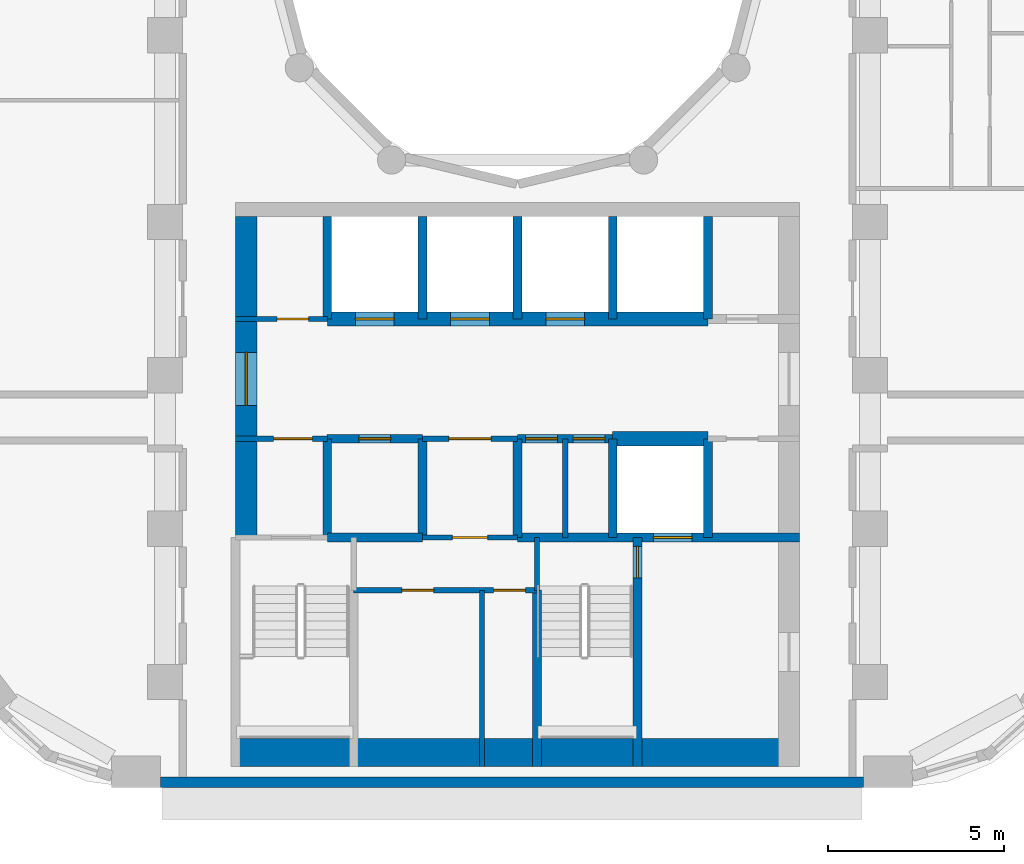
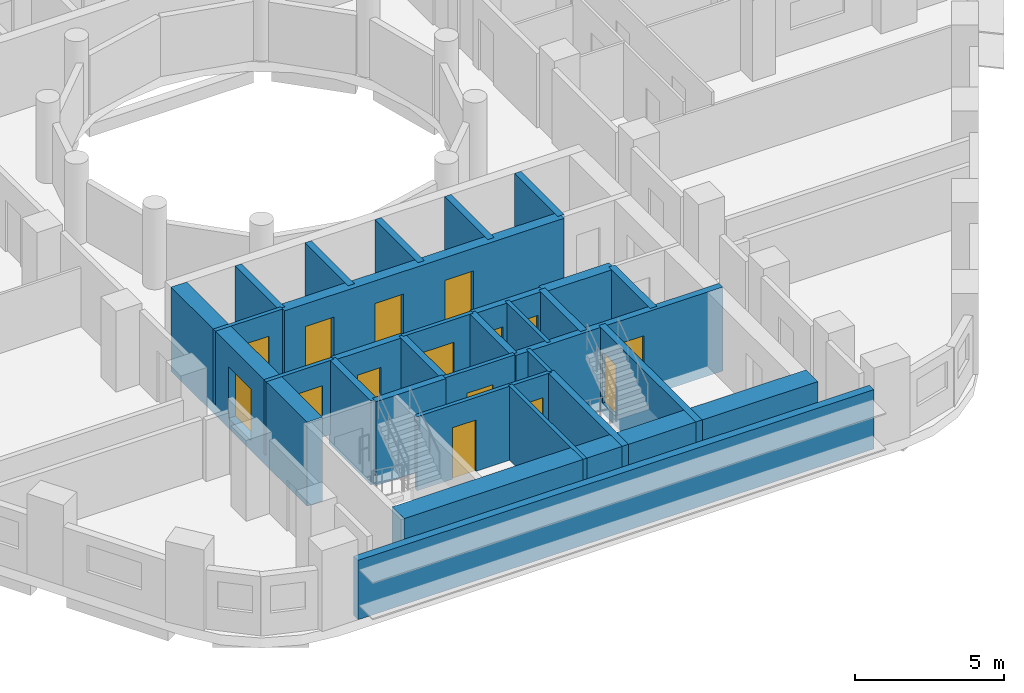
# One storey, part 3 of 13: 29 walls, 15 doors, 15 openings.
"""IFC4 building model written with IfcOpenShell, lengths in metres."""

import ifcopenshell
import ifcopenshell.guid

model = None  # the IFC model being written
_history = None  # IfcOwnerHistory: only IFC2X3 demands one
_inside = {}  # id of a spatial element -> (the spatial element, [elements in it])
_under = {}  # id of a project, library or spatial element -> (it, [spatial elements below it])
_declared = {}  # id of a project -> (the project, [libraries it declares])
_typed = {}  # id of a type object -> (the type object, [elements of that type])
_made_of = {}  # id of a material, layer set ... -> (it, [elements and type objects made of it])


def new_model(schema):
    """Start an empty IFC model of exactly this schema.

    Asked for "IFC4X3", IfcOpenShell would pick the latest addendum, in which some entities
    have other attributes; the version numbers below select the first issue.
    IFC2X3 requires an IfcOwnerHistory on every rooted entity: one is made here for all.
    """
    global model, _history
    if schema == "IFC4X3":
        model = ifcopenshell.file(schema_version=(4, 3, 0, 0))
    else:
        model = ifcopenshell.file(schema=schema)
    _inside.clear()
    _under.clear()
    _declared.clear()
    _typed.clear()
    _made_of.clear()
    _history = None
    if model.schema == "IFC2X3":
        org = make("IfcOrganization", Name="unknown")
        user = make(
            "IfcPersonAndOrganization",
            ThePerson=make("IfcPerson", FamilyName="unknown"),
            TheOrganization=org,
        )
        app = make(
            "IfcApplication",
            ApplicationDeveloper=org,
            Version="unknown",
            ApplicationFullName="unknown",
            ApplicationIdentifier="unknown",
        )
        _history = make(
            "IfcOwnerHistory",
            OwningUser=user,
            OwningApplication=app,
            ChangeAction="ADDED",
            CreationDate=0,
        )
    return model


def make(cls, **values):
    """One entity of the class cls with the attributes given. An attribute that is None is left unset."""
    return model.create_entity(
        cls, **{name: value for name, value in values.items() if value is not None}
    )


def rooted(cls, **values):
    """An entity with a GlobalId (a new one), such as an element, a storey or a relation."""
    return make(cls, GlobalId=ifcopenshell.guid.new(), OwnerHistory=_history, **values)


def si_unit(unit_type, name, prefix=None):
    """IfcSIUnit, for example si_unit("LENGTHUNIT", "METRE", prefix="MILLI")."""
    return make("IfcSIUnit", UnitType=unit_type, Prefix=prefix, Name=name)


def assignment(units):
    """IfcUnitAssignment: the units of a project."""
    return None if units is None else make("IfcUnitAssignment", Units=units)


def point(xyz):
    """IfcCartesianPoint."""
    return None if xyz is None else make("IfcCartesianPoint", Coordinates=xyz)


def direction(xyz):
    """IfcDirection."""
    return None if xyz is None else make("IfcDirection", DirectionRatios=xyz)


def frame(location, z_axis=None, x_axis=None):
    """IfcAxis2Placement3D, a coordinate frame: its origin and axes. An axis left out is left unset."""
    return make(
        "IfcAxis2Placement3D",
        Location=point(location),
        Axis=direction(z_axis),
        RefDirection=direction(x_axis),
    )


def frame_2d(location, x_axis=None):
    """IfcAxis2Placement2D, a coordinate frame in the plane: its origin and x axis."""
    return make(
        "IfcAxis2Placement2D", Location=point(location), RefDirection=direction(x_axis)
    )


def origin():
    """The frame at (0, 0, 0) with its axes left unset."""
    return frame((0.0, 0.0, 0.0))


def place(relative_to, where):
    """IfcLocalPlacement: puts the frame where relative to a parent placement (None: the world)."""
    return make(
        "IfcLocalPlacement", PlacementRelTo=relative_to, RelativePlacement=where
    )


def context(
    kind, dimensions, precision=None, world=None, true_north=None, identifier=None
):
    """IfcGeometricRepresentationContext, for example the 3D "Model" context."""
    return make(
        "IfcGeometricRepresentationContext",
        ContextIdentifier=identifier,
        ContextType=kind,
        CoordinateSpaceDimension=dimensions,
        Precision=precision,
        WorldCoordinateSystem=world,
        TrueNorth=true_north,
    )


def subcontext(parent, identifier, kind, view, scale=None):
    """IfcGeometricRepresentationSubContext, for example "Body" below "Model"."""
    return make(
        "IfcGeometricRepresentationSubContext",
        ContextIdentifier=identifier,
        ContextType=kind,
        ParentContext=parent,
        TargetScale=scale,
        TargetView=view,
    )


def project(units=None, contexts=None):
    """IfcProject with its units and contexts."""
    return rooted(
        "IfcProject",
        Name="project",
        RepresentationContexts=contexts,
        UnitsInContext=assignment(units),
    )


def spatial(cls, under=None, at=None, **own):
    """A site, building, storey or space (cls), placed at a placement, below another one or the project."""
    s = rooted(cls, ObjectPlacement=at, **own)
    if under is not None:
        _under.setdefault(under.id(), (under, []))[1].append(s)
    return s


def profile(cls, at=None, kind="AREA", **sizes):
    """A parametric profile (cls). Its sizes go by their IFC names, for example OverallWidth=200.0."""
    return make(cls, ProfileType=kind, Position=at, **sizes)


def rectangle(**sizes):
    """IfcRectangleProfileDef."""
    return profile("IfcRectangleProfileDef", **sizes)


def extrude(swept, where, along, depth):
    """IfcExtrudedAreaSolid: the profile swept, set in the frame where, extruded along a direction by depth."""
    return make(
        "IfcExtrudedAreaSolid",
        SweptArea=swept,
        Position=where,
        ExtrudedDirection=direction(along),
        Depth=depth,
    )


def shape(context_of_items, identifier, shape_type, items):
    """IfcShapeRepresentation: the items that make up one representation, for example the "Body"."""
    return make(
        "IfcShapeRepresentation",
        ContextOfItems=context_of_items,
        RepresentationIdentifier=identifier,
        RepresentationType=shape_type,
        Items=items,
    )


def material(Name=None, Category=None):
    """IfcMaterial."""
    return make("IfcMaterial", Name=Name, Category=Category)


def layer(
    of_material, thickness, ventilated=None, Name=None, Category=None, Priority=None
):
    """IfcMaterialLayer: one layer of a wall or slab, of a material (None: an air gap)."""
    return make(
        "IfcMaterialLayer",
        Material=of_material,
        LayerThickness=thickness,
        IsVentilated=ventilated,
        Name=Name,
        Category=Category,
        Priority=Priority,
    )


def layer_set(layers, Name=None):
    """IfcMaterialLayerSet."""
    return make("IfcMaterialLayerSet", MaterialLayers=layers, LayerSetName=Name)


def made_of(thing, what):
    """Note that an element or type object is made of a material, layer set ...; save() writes the relation."""
    if what is not None:
        _made_of.setdefault(what.id(), (what, []))[1].append(thing)
    return thing


def type_object(cls, material=None, **own):
    """A type object (cls), such as IfcWallType, which elements share."""
    return made_of(rooted(cls, **own), material)


def element(
    cls,
    number,
    at=None,
    inside=None,
    cuts=None,
    type_object=None,
    material=None,
    context=None,
    identifier="Body",
    shape_type=None,
    held_by="IfcProductDefinitionShape",
    body=None,
    shapes=None,
    **own,
):
    """One element of the class cls, such as IfcWall. Its Tag is "e" and its number.

    at: its placement. inside: the storey or other place that contains it. cuts: it is an
    opening in that element (IfcRelVoidsElement). A single representation is given by context,
    identifier, shape_type and body (its items); several are given by shapes. held_by: the class
    of the entity that holds the representations. save() writes the other relations.
    """
    e = rooted(cls, Tag="e%d" % number, ObjectPlacement=at, **own)
    if body is not None:
        shapes = [shape(context, identifier, shape_type, body)]
    if shapes is not None:
        e.Representation = make(held_by, Representations=shapes)
    if inside is not None:
        _inside.setdefault(inside.id(), (inside, []))[1].append(e)
    if cuts is not None:
        rooted(
            "IfcRelVoidsElement", RelatingBuildingElement=cuts, RelatedOpeningElement=e
        )
    if type_object is not None:
        _typed.setdefault(type_object.id(), (type_object, []))[1].append(e)
    return made_of(e, material)


def fill(opening, filler):
    """IfcRelFillsElement: the door or window that sits in an opening."""
    return rooted(
        "IfcRelFillsElement",
        RelatingOpeningElement=opening,
        RelatedBuildingElement=filler,
    )


def aggregate(whole, parts):
    """IfcRelAggregates: a whole, such as a stair, and the parts it consists of."""
    return rooted("IfcRelAggregates", RelatingObject=whole, RelatedObjects=parts)


def save(model, path):
    """Write the relations noted so far, then the file.

    IfcRelAggregates (storeys below a building ...), IfcRelContainedInSpatialStructure (elements
    in a storey), IfcRelDefinesByType, IfcRelAssociatesMaterial and IfcRelDeclares: one each for
    every whole, place, type object, material and project.
    """
    for whole, parts in _under.values():
        aggregate(whole, parts)
    for where, things in _inside.values():
        rooted(
            "IfcRelContainedInSpatialStructure",
            RelatedElements=things,
            RelatingStructure=where,
        )
    for kind, things in _typed.values():
        rooted("IfcRelDefinesByType", RelatedObjects=things, RelatingType=kind)
    for what, things in _made_of.values():
        rooted("IfcRelAssociatesMaterial", RelatedObjects=things, RelatingMaterial=what)
    for by, libraries in _declared.values():
        rooted("IfcRelDeclares", RelatingContext=by, RelatedDefinitions=libraries)
    model.write(path)


model = new_model("IFC4")

# Units and contexts
model_context = context("Model", 3, precision=1e-05, world=origin(), true_north=direction((0.0, 1.0)))
body_context = subcontext(model_context, "Body", "Model", "MODEL_VIEW")
ifc_project = project(units=[si_unit("LENGTHUNIT", "METRE"), si_unit("AREAUNIT", "SQUARE_METRE"), si_unit("VOLUMEUNIT", "CUBIC_METRE"), si_unit("PLANEANGLEUNIT", "RADIAN"), si_unit("MASSUNIT", "GRAM", prefix="KILO")], contexts=[model_context])

# Site, building, storey
site_placement = place(None, origin())
site = spatial("IfcSite", under=ifc_project, at=site_placement, CompositionType="ELEMENT")
building_placement = place(site_placement, origin())
building = spatial("IfcBuilding", under=site, at=building_placement, Name="Nakaniwa Court", CompositionType="ELEMENT")
storey_placement = place(building_placement, frame((0.0, 0.0, 77.699951171875)))
storey = spatial("IfcBuildingStorey", under=building, at=storey_placement, Name="L19", CompositionType="ELEMENT", Elevation=77.699951171875)

# Wall
ifc_material_1 = material(Name="Charcoal ceramic cladding")
ifc_layer_1 = layer(ifc_material_1, 0.02, Name="Ceramic cladding")
ifc_material_2 = material(Name="Ventilated air cavity")
ifc_layer_2 = layer(ifc_material_2, 0.04, ventilated=True, Name="Ventilated cavity")
ifc_material_3 = material(Name="Mineral wool insulation")
ifc_layer_3 = layer(ifc_material_3, 0.1, Name="Insulation")
ifc_material_4 = material(Name="Cement bonded sheathing board")
ifc_layer_4 = layer(ifc_material_4, 0.012, Name="Sheathing")
ifc_material_5 = material(Name="Cold-formed galvanised stud frame with mineral wool infill")
ifc_layer_5 = layer(ifc_material_5, 0.1, Name="Stud frame")
ifc_material_6 = material(Name="Fire-rated gypsum plasterboard lining")
ifc_layer_6 = layer(ifc_material_6, 0.028, Name="Lining")
ifc_layer_set_1 = layer_set([ifc_layer_1, ifc_layer_2, ifc_layer_3, ifc_layer_4, ifc_layer_5, ifc_layer_6], Name="Charcoal ceramic faced external wall system")
wall_type_1 = type_object("IfcWallType", Name="Black ceramic faced external wall 300", PredefinedType="SOLIDWALL", material=ifc_layer_set_1)
wall_1_placement = place(storey_placement, frame((69.871337890625, 56.14990234375, 0.0), z_axis=(0.0, 0.0, 1.0), x_axis=(1.0, 0.0, 0.0)))
element("IfcWall", 1, at=wall_1_placement, inside=storey, type_object=wall_type_1, Name="L19 external wall 26", PredefinedType="SOLIDWALL", context=body_context, shape_type="SweptSolid", body=[
    extrude(rectangle(XDim=19.939697265625, YDim=0.300048828125, at=frame_2d((9.9697265625, 0.0))), origin(), (0.0, 0.0, 1.0), 2.425048828125),
])

# Wall, opening, door
ifc_material_7 = material(Name="Blockwork partition", Category="masonry")
ifc_layer_7 = layer(ifc_material_7, 0.14990234375)
ifc_layer_set_2 = layer_set([ifc_layer_7], Name="Blockwork partition")
wall_type_2 = type_object("IfcWallType", Name="Blockwork partition 150", PredefinedType="PARTITIONING", material=ifc_layer_set_2)
wall_2_placement = place(storey_placement, frame((72.0, 69.300048828125, 0.0), z_axis=(0.0, 0.0, 1.0), x_axis=(1.0, 0.0, 0.0)))
wall_2 = element("IfcWall", 2, at=wall_2_placement, inside=storey, type_object=wall_type_2, Name="Partition PW-037", PredefinedType="PARTITIONING", context=body_context, shape_type="SweptSolid", body=[
    extrude(rectangle(XDim=2.60009765625, YDim=0.14990234375, at=frame_2d((1.300048828125, 0.0))), origin(), (0.0, 0.0, 1.0), 3.025146484375),
])
opening_1_placement = place(wall_2_placement, frame((1.175048828125, 0.0, 0.0)))
opening_1 = element("IfcOpeningElement", 3, at=opening_1_placement, cuts=wall_2, Name="Opening D-05-09", PredefinedType="OPENING", context=body_context, shape_type="SweptSolid", body=[
    extrude(rectangle(XDim=0.89990234375, YDim=2.10009765625, at=frame_2d((0.449951171875, 1.050048828125))), frame((0.0, 0.0849609375, 0.0), z_axis=(0.0, -1.0, 0.0), x_axis=(1.0, 0.0, 0.0)), (0.0, 0.0, 1.0), 0.169921875),
])
ifc_material_8 = material(Name="Fire rated steel door set", Category="steel")
door_type_1 = type_object("IfcDoorType", Name="Service room door 900", OperationType="NOTDEFINED", PredefinedType="DOOR", material=ifc_material_8)
door_1_placement = place(opening_1_placement, origin())
door_1 = element("IfcDoor", 4, at=door_1_placement, inside=storey, type_object=door_type_1, Name="Door D-05-09 L19-014", OperationType="SINGLE_SWING_LEFT", OverallHeight=2.10009765625, OverallWidth=0.89990234375, PredefinedType="DOOR", context=body_context, shape_type="SweptSolid", body=[
    extrude(rectangle(XDim=0.89990234375, YDim=2.10009765625, at=frame_2d((0.449951171875, 1.050048828125))), frame((0.0, 0.02490234375, 0.0), z_axis=(0.0, -1.0, 0.0), x_axis=(1.0, 0.0, 0.0)), (0.0, 0.0, 1.0), 0.050048828125),
])
fill(opening_1, door_1)

wall_3_placement = place(storey_placement, frame((74.60302734375, 65.89990234375, 0.0), z_axis=(0.0, 0.0, 1.0), x_axis=(-1.0, 0.0, 0.0)))
wall_3 = element("IfcWall", 5, at=wall_3_placement, inside=storey, type_object=wall_type_2, Name="Partition PW-050", PredefinedType="PARTITIONING", context=body_context, shape_type="SweptSolid", body=[
    extrude(rectangle(XDim=2.60302734375, YDim=0.14990234375, at=frame_2d((1.301513671875, 0.0))), origin(), (0.0, 0.0, 1.0), 3.025146484375),
])
opening_2_placement = place(wall_3_placement, frame((0.427978515625, 0.0, 0.0)))
opening_2 = element("IfcOpeningElement", 6, at=opening_2_placement, cuts=wall_3, Name="Opening D-08-02", PredefinedType="OPENING", context=body_context, shape_type="SweptSolid", body=[
    extrude(rectangle(XDim=1.10009765625, YDim=2.10009765625, at=frame_2d((0.550048828125, 1.050048828125))), frame((0.0, 0.0849609375, 0.0), z_axis=(0.0, -1.0, 0.0), x_axis=(1.0, 0.0, 0.0)), (0.0, 0.0, 1.0), 0.169921875),
])
door_type_2 = type_object("IfcDoorType", Name="Stair lobby door 1100", OperationType="NOTDEFINED", PredefinedType="DOOR", material=ifc_material_8)
door_2_placement = place(opening_2_placement, origin())
door_2 = element("IfcDoor", 7, at=door_2_placement, inside=storey, type_object=door_type_2, Name="Door D-08-02 L19-016", OperationType="SINGLE_SWING_LEFT", OverallHeight=2.10009765625, OverallWidth=1.10009765625, PredefinedType="DOOR", context=body_context, shape_type="SweptSolid", body=[
    extrude(rectangle(XDim=1.10009765625, YDim=2.10009765625, at=frame_2d((0.550048828125, 1.050048828125))), frame((0.0, 0.02490234375, 0.0), z_axis=(0.0, -1.0, 0.0), x_axis=(1.0, 0.0, 0.0)), (0.0, 0.0, 1.0), 0.050048828125),
])
fill(opening_2, door_2)

wall_4_placement = place(storey_placement, frame((80.0029296875, 65.89990234375, 0.0), z_axis=(0.0, 0.0, 1.0), x_axis=(-1.0, 0.0, 0.0)))
wall_4 = element("IfcWall", 8, at=wall_4_placement, inside=storey, type_object=wall_type_2, Name="Partition PW-051", PredefinedType="PARTITIONING", context=body_context, shape_type="SweptSolid", body=[
    extrude(rectangle(XDim=2.705810546875, YDim=0.14990234375, at=frame_2d((1.35302734375, 0.0))), origin(), (0.0, 0.0, 1.0), 3.025146484375),
])
opening_3_placement = place(wall_4_placement, frame((0.7529296875, 0.0, 0.0)))
opening_3 = element("IfcOpeningElement", 9, at=opening_3_placement, cuts=wall_4, Name="Opening D-06-02", PredefinedType="OPENING", context=body_context, shape_type="SweptSolid", body=[
    extrude(rectangle(XDim=1.199951171875, YDim=2.10009765625, at=frame_2d((0.60009765625, 1.050048828125))), frame((0.0, 0.0849609375, 0.0), z_axis=(0.0, -1.0, 0.0), x_axis=(1.0, 0.0, 0.0)), (0.0, 0.0, 1.0), 0.169921875),
])
ifc_material_9 = material(Name="Fire rated steel double door set", Category="steel")
door_type_3 = type_object("IfcDoorType", Name="Service passage double door 1200", OperationType="NOTDEFINED", PredefinedType="DOOR", material=ifc_material_9)
door_3_placement = place(opening_3_placement, origin())
door_3 = element("IfcDoor", 10, at=door_3_placement, inside=storey, type_object=door_type_3, Name="Door D-06-02 L19-018", OperationType="DOUBLE_DOOR_SINGLE_SWING", OverallHeight=2.10009765625, OverallWidth=1.199951171875, PredefinedType="DOOR", context=body_context, shape_type="SweptSolid", body=[
    extrude(rectangle(XDim=1.199951171875, YDim=2.10009765625, at=frame_2d((0.60009765625, 1.050048828125))), frame((0.0, 0.02490234375, 0.0), z_axis=(0.0, -1.0, 0.0), x_axis=(1.0, 0.0, 0.0)), (0.0, 0.0, 1.0), 0.050048828125),
])
fill(opening_3, door_3)

wall_5_placement = place(storey_placement, frame((80.0, 63.10009765625, 0.0), z_axis=(0.0, 0.0, 1.0), x_axis=(-1.0, 0.0, 0.0)))
wall_5 = element("IfcWall", 11, at=wall_5_placement, inside=storey, type_object=wall_type_2, Name="Partition PW-059", PredefinedType="PARTITIONING", context=body_context, shape_type="SweptSolid", body=[
    extrude(rectangle(XDim=2.699951171875, YDim=0.14990234375, at=frame_2d((1.35009765625, 0.0))), origin(), (0.0, 0.0, 1.0), 3.025146484375),
])
opening_4_placement = place(wall_5_placement, frame((0.85009765625, 0.0, 0.0)))
opening_4 = element("IfcOpeningElement", 12, at=opening_4_placement, cuts=wall_5, Name="Opening D-23-02", PredefinedType="OPENING", context=body_context, shape_type="SweptSolid", body=[
    extrude(rectangle(XDim=1.0, YDim=2.10009765625, at=frame_2d((0.5, 1.050048828125))), frame((0.0, 0.0849609375, 0.0), z_axis=(0.0, -1.0, 0.0), x_axis=(1.0, 0.0, 0.0)), (0.0, 0.0, 1.0), 0.169921875),
])
door_type_4 = type_object("IfcDoorType", Name="Service room door 1000", OperationType="NOTDEFINED", PredefinedType="DOOR", material=ifc_material_8)
door_4_placement = place(opening_4_placement, origin())
door_4 = element("IfcDoor", 13, at=door_4_placement, inside=storey, type_object=door_type_4, Name="Door D-23-02 L19-022", OperationType="SINGLE_SWING_LEFT", OverallHeight=2.10009765625, OverallWidth=1.0, PredefinedType="DOOR", context=body_context, shape_type="SweptSolid", body=[
    extrude(rectangle(XDim=1.0, YDim=2.10009765625, at=frame_2d((0.5, 1.050048828125))), frame((0.0, 0.02490234375, 0.0), z_axis=(0.0, -1.0, 0.0), x_axis=(1.0, 0.0, 0.0)), (0.0, 0.0, 1.0), 0.050048828125),
])
fill(opening_4, door_4)

# Wall
wall_6_placement = place(storey_placement, frame((81.35009765625, 63.10009765625, 0.0), z_axis=(0.0, 0.0, 1.0), x_axis=(0.0, 1.0, 0.0)))
element("IfcWall", 14, at=wall_6_placement, inside=storey, type_object=wall_type_2, Name="Partition PW-060", PredefinedType="PARTITIONING", context=body_context, shape_type="SweptSolid", body=[
    extrude(rectangle(XDim=2.7998046875, YDim=0.14990234375, at=frame_2d((1.39990234375, 0.0))), origin(), (0.0, 0.0, 1.0), 3.025146484375),
])

# Wall, openings, doors
wall_7_placement = place(storey_placement, frame((80.550048828125, 61.60009765625, 0.0), z_axis=(0.0, 0.0, 1.0), x_axis=(-1.0, 0.0, 0.0)))
wall_7 = element("IfcWall", 15, at=wall_7_placement, inside=storey, type_object=wall_type_2, Name="Partition PW-067", PredefinedType="PARTITIONING", context=body_context, shape_type="SweptSolid", body=[
    extrude(rectangle(XDim=5.199951171875, YDim=0.14990234375, at=frame_2d((2.60009765625, 0.0))), origin(), (0.0, 0.0, 1.0), 3.025146484375),
])
opening_5_placement = place(wall_7_placement, frame((2.929931640625, 0.0, 0.0)))
opening_5 = element("IfcOpeningElement", 16, at=opening_5_placement, cuts=wall_7, Name="Opening D-05-15", PredefinedType="OPENING", context=body_context, shape_type="SweptSolid", body=[
    extrude(rectangle(XDim=0.89990234375, YDim=2.10009765625, at=frame_2d((0.449951171875, 1.050048828125))), frame((0.0, 0.0849609375, 0.0), z_axis=(0.0, -1.0, 0.0), x_axis=(1.0, 0.0, 0.0)), (0.0, 0.0, 1.0), 0.169921875),
])
opening_6_placement = place(wall_7_placement, frame((0.330078125, 0.0, 0.0)))
opening_6 = element("IfcOpeningElement", 17, at=opening_6_placement, cuts=wall_7, Name="Opening D-05-16", PredefinedType="OPENING", context=body_context, shape_type="SweptSolid", body=[
    extrude(rectangle(XDim=0.89990234375, YDim=2.10009765625, at=frame_2d((0.449951171875, 1.050048828125))), frame((0.0, 0.0849609375, 0.0), z_axis=(0.0, -1.0, 0.0), x_axis=(1.0, 0.0, 0.0)), (0.0, 0.0, 1.0), 0.169921875),
])
door_5_placement = place(opening_5_placement, origin())
door_5 = element("IfcDoor", 18, at=door_5_placement, inside=storey, type_object=door_type_1, Name="Door D-05-15 L19-023", OperationType="SINGLE_SWING_RIGHT", OverallHeight=2.10009765625, OverallWidth=0.89990234375, PredefinedType="DOOR", context=body_context, shape_type="SweptSolid", body=[
    extrude(rectangle(XDim=0.89990234375, YDim=2.10009765625, at=frame_2d((0.449951171875, 1.050048828125))), frame((0.0, 0.02490234375, 0.0), z_axis=(0.0, -1.0, 0.0), x_axis=(1.0, 0.0, 0.0)), (0.0, 0.0, 1.0), 0.050048828125),
])
fill(opening_5, door_5)
door_6_placement = place(opening_6_placement, origin())
door_6 = element("IfcDoor", 19, at=door_6_placement, inside=storey, type_object=door_type_1, Name="Door D-05-16 L19-024", OperationType="SINGLE_SWING_LEFT", OverallHeight=2.10009765625, OverallWidth=0.89990234375, PredefinedType="DOOR", context=body_context, shape_type="SweptSolid", body=[
    extrude(rectangle(XDim=0.89990234375, YDim=2.10009765625, at=frame_2d((0.449951171875, 1.050048828125))), frame((0.0, 0.02490234375, 0.0), z_axis=(0.0, -1.0, 0.0), x_axis=(1.0, 0.0, 0.0)), (0.0, 0.0, 1.0), 0.050048828125),
])
fill(opening_6, door_6)

# Wall
wall_8_placement = place(storey_placement, frame((78.989990234375, 56.60009765625, 0.0), z_axis=(0.0, 0.0, 1.0), x_axis=(0.0, 1.0, 0.0)))
element("IfcWall", 20, at=wall_8_placement, inside=storey, type_object=wall_type_2, Name="Partition PW-068", PredefinedType="PARTITIONING", context=body_context, shape_type="SweptSolid", body=[
    extrude(rectangle(XDim=5.0, YDim=0.14990234375, at=frame_2d((2.5, 0.0))), origin(), (0.0, 0.0, 1.0), 3.025146484375),
])

# Wall, opening, door
ifc_material_10 = material(Name="Concrete C80/100", Category="concrete")
ifc_layer_8 = layer(ifc_material_10, 0.60009765625)
ifc_layer_set_3 = layer_set([ifc_layer_8], Name="Concrete C80/100")
wall_type_3 = type_object("IfcWallType", Name="Concrete core side wall 600 C80", PredefinedType="SHEAR", material=ifc_layer_set_3)
wall_9_placement = place(storey_placement, frame((72.300048828125, 63.10009765625, -0.409912109375), z_axis=(0.0, 0.0, 1.0), x_axis=(0.0, 1.0, 0.0)))
wall_9 = element("IfcWall", 21, at=wall_9_placement, inside=storey, type_object=wall_type_3, Name="Core wall SW-38", PredefinedType="SHEAR", context=body_context, shape_type="SweptSolid", body=[
    extrude(rectangle(XDim=9.099853515625, YDim=0.60009765625, at=frame_2d((4.5498046875, 0.0))), origin(), (0.0, 0.0, 1.0), 3.43505859375),
])
opening_7_placement = place(wall_9_placement, frame((3.75, 0.0, 0.409912109375)))
opening_7 = element("IfcOpeningElement", 22, at=opening_7_placement, cuts=wall_9, Name="Opening D-07-04", PredefinedType="OPENING", context=body_context, shape_type="SweptSolid", body=[
    extrude(rectangle(XDim=1.5, YDim=2.10009765625, at=frame_2d((0.75, 1.050048828125))), frame((0.0, 0.31005859375, 0.0), z_axis=(0.0, -1.0, 0.0), x_axis=(1.0, 0.0, 0.0)), (0.0, 0.0, 1.0), 0.6201171875),
])
ifc_material_11 = material(Name="Glazed fire rated steel double door set", Category="steel")
door_type_5 = type_object("IfcDoorType", Name="Lobby double door 1500", OperationType="NOTDEFINED", PredefinedType="DOOR", material=ifc_material_11)
door_7_placement = place(opening_7_placement, origin())
door_7 = element("IfcDoor", 23, at=door_7_placement, inside=storey, type_object=door_type_5, Name="Door D-07-04 L19-051", OperationType="DOUBLE_DOOR_SINGLE_SWING", OverallHeight=2.10009765625, OverallWidth=1.5, PredefinedType="DOOR", context=body_context, shape_type="SweptSolid", body=[
    extrude(rectangle(XDim=1.5, YDim=2.10009765625, at=frame_2d((0.75, 1.050048828125))), frame((0.0, 0.02490234375, 0.0), z_axis=(0.0, -1.0, 0.0), x_axis=(1.0, 0.0, 0.0)), (0.0, 0.0, 1.0), 0.050048828125),
])
fill(opening_7, door_7)

# Wall, openings, doors
ifc_layer_9 = layer(ifc_material_10, 0.39990234375)
ifc_layer_set_4 = layer_set([ifc_layer_9], Name="Concrete C80/100")
wall_type_4 = type_object("IfcWallType", Name="Concrete core spine wall 400 C80", PredefinedType="SHEAR", material=ifc_layer_set_4)
wall_10_placement = place(storey_placement, frame((74.60009765625, 69.300048828125, -0.409912109375), z_axis=(0.0, 0.0, 1.0), x_axis=(1.0, 0.0, 0.0)))
wall_10 = element("IfcWall", 24, at=wall_10_placement, inside=storey, type_object=wall_type_4, Name="Core wall SW-41", PredefinedType="SHEAR", context=body_context, shape_type="SweptSolid", body=[
    extrude(rectangle(XDim=10.7998046875, YDim=0.39990234375, at=frame_2d((5.39990234375, 0.0))), origin(), (0.0, 0.0, 1.0), 3.43505859375),
])
opening_8_placement = place(wall_10_placement, frame((0.800048828125, 0.0, 0.409912109375)))
opening_8 = element("IfcOpeningElement", 25, at=opening_8_placement, cuts=wall_10, Name="Opening LD05", PredefinedType="OPENING", context=body_context, shape_type="SweptSolid", body=[
    extrude(rectangle(XDim=1.10009765625, YDim=2.10009765625, at=frame_2d((0.550048828125, 1.050048828125))), frame((0.0, 0.2099609375, 0.0), z_axis=(0.0, -1.0, 0.0), x_axis=(1.0, 0.0, 0.0)), (0.0, 0.0, 1.0), 0.419921875),
])
opening_9_placement = place(wall_10_placement, frame((3.5, 0.0, 0.409912109375)))
opening_9 = element("IfcOpeningElement", 26, at=opening_9_placement, cuts=wall_10, Name="Opening LD06", PredefinedType="OPENING", context=body_context, shape_type="SweptSolid", body=[
    extrude(rectangle(XDim=1.10009765625, YDim=2.10009765625, at=frame_2d((0.550048828125, 1.050048828125))), frame((0.0, 0.2099609375, 0.0), z_axis=(0.0, -1.0, 0.0), x_axis=(1.0, 0.0, 0.0)), (0.0, 0.0, 1.0), 0.419921875),
])
opening_10_placement = place(wall_10_placement, frame((6.199951171875, 0.0, 0.409912109375)))
opening_10 = element("IfcOpeningElement", 27, at=opening_10_placement, cuts=wall_10, Name="Opening LD07", PredefinedType="OPENING", context=body_context, shape_type="SweptSolid", body=[
    extrude(rectangle(XDim=1.10009765625, YDim=2.10009765625, at=frame_2d((0.550048828125, 1.050048828125))), frame((0.0, 0.2099609375, 0.0), z_axis=(0.0, -1.0, 0.0), x_axis=(1.0, 0.0, 0.0)), (0.0, 0.0, 1.0), 0.419921875),
])
ifc_material_12 = material(Name="Stainless steel sliding lift landing door", Category="steel")
door_type_6 = type_object("IfcDoorType", Name="Lift landing door 1100", OperationType="NOTDEFINED", PredefinedType="DOOR", material=ifc_material_12)
door_8_placement = place(opening_8_placement, origin())
door_8 = element("IfcDoor", 28, at=door_8_placement, inside=storey, type_object=door_type_6, Name="Lift landing door LD05 L19-005", OperationType="SLIDING_TO_LEFT", OverallHeight=2.10009765625, OverallWidth=1.10009765625, PredefinedType="DOOR", context=body_context, shape_type="SweptSolid", body=[
    extrude(rectangle(XDim=1.10009765625, YDim=2.10009765625, at=frame_2d((0.550048828125, 1.050048828125))), frame((0.0, 0.02490234375, 0.0), z_axis=(0.0, -1.0, 0.0), x_axis=(1.0, 0.0, 0.0)), (0.0, 0.0, 1.0), 0.050048828125),
])
fill(opening_8, door_8)
door_9_placement = place(opening_9_placement, origin())
door_9 = element("IfcDoor", 29, at=door_9_placement, inside=storey, type_object=door_type_6, Name="Lift landing door LD06 L19-006", OperationType="SLIDING_TO_LEFT", OverallHeight=2.10009765625, OverallWidth=1.10009765625, PredefinedType="DOOR", context=body_context, shape_type="SweptSolid", body=[
    extrude(rectangle(XDim=1.10009765625, YDim=2.10009765625, at=frame_2d((0.550048828125, 1.050048828125))), frame((0.0, 0.02490234375, 0.0), z_axis=(0.0, -1.0, 0.0), x_axis=(1.0, 0.0, 0.0)), (0.0, 0.0, 1.0), 0.050048828125),
])
fill(opening_9, door_9)
door_10_placement = place(opening_10_placement, origin())
door_10 = element("IfcDoor", 30, at=door_10_placement, inside=storey, type_object=door_type_6, Name="Lift landing door LD07 L19-007", OperationType="SLIDING_TO_LEFT", OverallHeight=2.10009765625, OverallWidth=1.10009765625, PredefinedType="DOOR", context=body_context, shape_type="SweptSolid", body=[
    extrude(rectangle(XDim=1.10009765625, YDim=2.10009765625, at=frame_2d((0.550048828125, 1.050048828125))), frame((0.0, 0.02490234375, 0.0), z_axis=(0.0, -1.0, 0.0), x_axis=(1.0, 0.0, 0.0)), (0.0, 0.0, 1.0), 0.050048828125),
])
fill(opening_10, door_10)

# Walls
wall_11_placement = place(storey_placement, frame((82.697021484375, 65.89990234375, -0.409912109375), z_axis=(0.0, 0.0, 1.0), x_axis=(1.0, 0.0, 0.0)))
element("IfcWall", 31, at=wall_11_placement, inside=storey, type_object=wall_type_4, Name="Core wall SW-55", PredefinedType="SHEAR", context=body_context, shape_type="SweptSolid", body=[
    extrude(rectangle(XDim=2.7060546875, YDim=0.39990234375, at=frame_2d((1.35302734375, 0.0))), origin(), (0.0, 0.0, 1.0), 3.43505859375),
])
ifc_layer_10 = layer(ifc_material_10, 0.14990234375)
ifc_layer_set_5 = layer_set([ifc_layer_10], Name="Concrete C80/100")
wall_type_5 = type_object("IfcWallType", Name="Concrete core wall 150 C80", PredefinedType="SHEAR", material=ifc_layer_set_5)
wall_12_placement = place(storey_placement, frame((80.550048828125, 61.596923828125, -0.409912109375), z_axis=(0.0, 0.0, 1.0), x_axis=(0.0, 1.0, 0.0)))
element("IfcWall", 32, at=wall_12_placement, inside=storey, type_object=wall_type_5, Name="Core wall SW-65", PredefinedType="SHEAR", context=body_context, shape_type="SweptSolid", body=[
    extrude(rectangle(XDim=1.503173828125, YDim=0.14990234375, at=frame_2d((0.75146484375, 0.0))), origin(), (0.0, 0.0, 1.0), 3.43505859375),
])
ifc_layer_11 = layer(ifc_material_10, 0.800048828125)
ifc_layer_set_6 = layer_set([ifc_layer_11], Name="Concrete C80/100")
wall_type_6 = type_object("IfcWallType", Name="Concrete core wall 800 C80", PredefinedType="SHEAR", material=ifc_layer_set_6)
wall_13_placement = place(storey_placement, frame((72.00390625, 57.0, -0.409912109375), z_axis=(0.0, 0.0, 1.0), x_axis=(1.0, 0.0, 0.0)))
element("IfcWall", 33, at=wall_13_placement, inside=storey, type_object=wall_type_6, Name="Core wall SW-125", PredefinedType="SHEAR", context=body_context, shape_type="SweptSolid", body=[
    extrude(rectangle(XDim=15.9921875, YDim=0.800048828125, at=frame_2d((7.99609375, 0.0))), origin(), (0.0, 0.0, 1.0), 3.43505859375),
])
ifc_layer_12 = layer(ifc_material_10, 0.25)
ifc_layer_set_7 = layer_set([ifc_layer_12], Name="Concrete C80/100")
wall_type_7 = type_object("IfcWallType", Name="Concrete shaft wall 250 C80", PredefinedType="SHEAR", material=ifc_layer_set_7)
wall_14_placement = place(storey_placement, frame((74.60009765625, 63.10009765625, -0.409912109375), z_axis=(0.0, 0.0, 1.0), x_axis=(0.0, 1.0, 0.0)))
element("IfcWall", 34, at=wall_14_placement, inside=storey, type_object=wall_type_7, Name="Core wall SW-35", PredefinedType="SHEAR", context=body_context, shape_type="SweptSolid", body=[
    extrude(rectangle(XDim=2.7998046875, YDim=0.25, at=frame_2d((1.39990234375, 0.0))), origin(), (0.0, 0.0, 1.0), 3.43505859375),
])
wall_15_placement = place(storey_placement, frame((74.60009765625, 69.300048828125, -0.409912109375), z_axis=(0.0, 0.0, 1.0), x_axis=(0.0, 1.0, 0.0)))
element("IfcWall", 35, at=wall_15_placement, inside=storey, type_object=wall_type_7, Name="Core wall SW-36", PredefinedType="SHEAR", context=body_context, shape_type="SweptSolid", body=[
    extrude(rectangle(XDim=2.89990234375, YDim=0.25, at=frame_2d((1.449951171875, 0.0))), origin(), (0.0, 0.0, 1.0), 3.43505859375),
])
wall_16_placement = place(storey_placement, frame((77.300048828125, 63.10009765625, -0.409912109375), z_axis=(0.0, 0.0, 1.0), x_axis=(0.0, 1.0, 0.0)))
element("IfcWall", 36, at=wall_16_placement, inside=storey, type_object=wall_type_7, Name="Core wall SW-39", PredefinedType="SHEAR", context=body_context, shape_type="SweptSolid", body=[
    extrude(rectangle(XDim=2.7998046875, YDim=0.25, at=frame_2d((1.39990234375, 0.0))), origin(), (0.0, 0.0, 1.0), 3.43505859375),
])
wall_17_placement = place(storey_placement, frame((77.300048828125, 69.300048828125, -0.409912109375), z_axis=(0.0, 0.0, 1.0), x_axis=(0.0, 1.0, 0.0)))
element("IfcWall", 37, at=wall_17_placement, inside=storey, type_object=wall_type_7, Name="Core wall SW-40", PredefinedType="SHEAR", context=body_context, shape_type="SweptSolid", body=[
    extrude(rectangle(XDim=2.89990234375, YDim=0.25, at=frame_2d((1.449951171875, 0.0))), origin(), (0.0, 0.0, 1.0), 3.43505859375),
])
wall_18_placement = place(storey_placement, frame((80.0, 63.10009765625, -0.409912109375), z_axis=(0.0, 0.0, 1.0), x_axis=(0.0, 1.0, 0.0)))
element("IfcWall", 38, at=wall_18_placement, inside=storey, type_object=wall_type_7, Name="Core wall SW-42", PredefinedType="SHEAR", context=body_context, shape_type="SweptSolid", body=[
    extrude(rectangle(XDim=2.7998046875, YDim=0.25, at=frame_2d((1.39990234375, 0.0))), origin(), (0.0, 0.0, 1.0), 3.43505859375),
])
wall_19_placement = place(storey_placement, frame((80.0, 69.300048828125, -0.409912109375), z_axis=(0.0, 0.0, 1.0), x_axis=(0.0, 1.0, 0.0)))
element("IfcWall", 39, at=wall_19_placement, inside=storey, type_object=wall_type_7, Name="Core wall SW-43", PredefinedType="SHEAR", context=body_context, shape_type="SweptSolid", body=[
    extrude(rectangle(XDim=2.89990234375, YDim=0.25, at=frame_2d((1.449951171875, 0.0))), origin(), (0.0, 0.0, 1.0), 3.43505859375),
])
wall_20_placement = place(storey_placement, frame((82.699951171875, 63.10009765625, -0.409912109375), z_axis=(0.0, 0.0, 1.0), x_axis=(0.0, 1.0, 0.0)))
element("IfcWall", 40, at=wall_20_placement, inside=storey, type_object=wall_type_7, Name="Core wall SW-44", PredefinedType="SHEAR", context=body_context, shape_type="SweptSolid", body=[
    extrude(rectangle(XDim=2.7998046875, YDim=0.25, at=frame_2d((1.39990234375, 0.0))), origin(), (0.0, 0.0, 1.0), 3.43505859375),
])
wall_21_placement = place(storey_placement, frame((82.699951171875, 69.300048828125, -0.409912109375), z_axis=(0.0, 0.0, 1.0), x_axis=(0.0, 1.0, 0.0)))
element("IfcWall", 41, at=wall_21_placement, inside=storey, type_object=wall_type_7, Name="Core wall SW-45", PredefinedType="SHEAR", context=body_context, shape_type="SweptSolid", body=[
    extrude(rectangle(XDim=2.89990234375, YDim=0.25, at=frame_2d((1.449951171875, 0.0))), origin(), (0.0, 0.0, 1.0), 3.43505859375),
])
wall_22_placement = place(storey_placement, frame((85.39990234375, 63.10009765625, -0.409912109375), z_axis=(0.0, 0.0, 1.0), x_axis=(0.0, 1.0, 0.0)))
element("IfcWall", 42, at=wall_22_placement, inside=storey, type_object=wall_type_7, Name="Core wall SW-46", PredefinedType="SHEAR", context=body_context, shape_type="SweptSolid", body=[
    extrude(rectangle(XDim=2.7998046875, YDim=0.25, at=frame_2d((1.39990234375, 0.0))), origin(), (0.0, 0.0, 1.0), 3.43505859375),
])
wall_23_placement = place(storey_placement, frame((85.39990234375, 69.300048828125, -0.409912109375), z_axis=(0.0, 0.0, 1.0), x_axis=(0.0, 1.0, 0.0)))
element("IfcWall", 43, at=wall_23_placement, inside=storey, type_object=wall_type_7, Name="Core wall SW-47", PredefinedType="SHEAR", context=body_context, shape_type="SweptSolid", body=[
    extrude(rectangle(XDim=2.89990234375, YDim=0.25, at=frame_2d((1.449951171875, 0.0))), origin(), (0.0, 0.0, 1.0), 3.43505859375),
])

# Wall, opening, door
wall_24_placement = place(storey_placement, frame((77.302978515625, 65.89990234375, -0.409912109375), z_axis=(0.0, 0.0, 1.0), x_axis=(-1.0, 0.0, 0.0)))
wall_24 = element("IfcWall", 44, at=wall_24_placement, inside=storey, type_object=wall_type_7, Name="Core wall SW-53", PredefinedType="SHEAR", context=body_context, shape_type="SweptSolid", body=[
    extrude(rectangle(XDim=2.7060546875, YDim=0.25, at=frame_2d((1.35302734375, 0.0))), origin(), (0.0, 0.0, 1.0), 3.43505859375),
])
opening_11_placement = place(wall_24_placement, frame((0.903076171875, 0.0, 0.409912109375)))
opening_11 = element("IfcOpeningElement", 45, at=opening_11_placement, cuts=wall_24, Name="Opening D-05-11", PredefinedType="OPENING", context=body_context, shape_type="SweptSolid", body=[
    extrude(rectangle(XDim=0.89990234375, YDim=2.10009765625, at=frame_2d((0.449951171875, 1.050048828125))), frame((0.0, 0.135009765625, 0.0), z_axis=(0.0, -1.0, 0.0), x_axis=(1.0, 0.0, 0.0)), (0.0, 0.0, 1.0), 0.27001953125),
])
door_11_placement = place(opening_11_placement, origin())
door_11 = element("IfcDoor", 46, at=door_11_placement, inside=storey, type_object=door_type_1, Name="Door D-05-11 L19-017", OperationType="SINGLE_SWING_RIGHT", OverallHeight=2.10009765625, OverallWidth=0.89990234375, PredefinedType="DOOR", context=body_context, shape_type="SweptSolid", body=[
    extrude(rectangle(XDim=0.89990234375, YDim=2.10009765625, at=frame_2d((0.449951171875, 1.050048828125))), frame((0.0, 0.02490234375, 0.0), z_axis=(0.0, -1.0, 0.0), x_axis=(1.0, 0.0, 0.0)), (0.0, 0.0, 1.0), 0.050048828125),
])
fill(opening_11, door_11)

# Wall, openings, doors
wall_25_placement = place(storey_placement, frame((82.702880859375, 65.89990234375, -0.409912109375), z_axis=(0.0, 0.0, 1.0), x_axis=(-1.0, 0.0, 0.0)))
wall_25 = element("IfcWall", 47, at=wall_25_placement, inside=storey, type_object=wall_type_7, Name="Core wall SW-54", PredefinedType="SHEAR", context=body_context, shape_type="SweptSolid", body=[
    extrude(rectangle(XDim=2.705810546875, YDim=0.25, at=frame_2d((1.35302734375, 0.0))), origin(), (0.0, 0.0, 1.0), 3.43505859375),
])
opening_12_placement = place(wall_25_placement, frame((1.577880859375, 0.0, 0.409912109375)))
opening_12 = element("IfcOpeningElement", 48, at=opening_12_placement, cuts=wall_25, Name="Opening D-05-12", PredefinedType="OPENING", context=body_context, shape_type="SweptSolid", body=[
    extrude(rectangle(XDim=0.89990234375, YDim=2.10009765625, at=frame_2d((0.449951171875, 1.050048828125))), frame((0.0, 0.135009765625, 0.0), z_axis=(0.0, -1.0, 0.0), x_axis=(1.0, 0.0, 0.0)), (0.0, 0.0, 1.0), 0.27001953125),
])
opening_13_placement = place(wall_25_placement, frame((0.22802734375, 0.0, 0.409912109375)))
opening_13 = element("IfcOpeningElement", 49, at=opening_13_placement, cuts=wall_25, Name="Opening D-05-13", PredefinedType="OPENING", context=body_context, shape_type="SweptSolid", body=[
    extrude(rectangle(XDim=0.89990234375, YDim=2.10009765625, at=frame_2d((0.449951171875, 1.050048828125))), frame((0.0, 0.135009765625, 0.0), z_axis=(0.0, -1.0, 0.0), x_axis=(1.0, 0.0, 0.0)), (0.0, 0.0, 1.0), 0.27001953125),
])
door_12_placement = place(opening_12_placement, origin())
door_12 = element("IfcDoor", 50, at=door_12_placement, inside=storey, type_object=door_type_1, Name="Door D-05-12 L19-019", OperationType="SINGLE_SWING_RIGHT", OverallHeight=2.10009765625, OverallWidth=0.89990234375, PredefinedType="DOOR", context=body_context, shape_type="SweptSolid", body=[
    extrude(rectangle(XDim=0.89990234375, YDim=2.10009765625, at=frame_2d((0.449951171875, 1.050048828125))), frame((0.0, 0.02490234375, 0.0), z_axis=(0.0, -1.0, 0.0), x_axis=(1.0, 0.0, 0.0)), (0.0, 0.0, 1.0), 0.050048828125),
])
fill(opening_12, door_12)
door_13_placement = place(opening_13_placement, origin())
door_13 = element("IfcDoor", 51, at=door_13_placement, inside=storey, type_object=door_type_1, Name="Door D-05-13 L19-020", OperationType="SINGLE_SWING_LEFT", OverallHeight=2.10009765625, OverallWidth=0.89990234375, PredefinedType="DOOR", context=body_context, shape_type="SweptSolid", body=[
    extrude(rectangle(XDim=0.89990234375, YDim=2.10009765625, at=frame_2d((0.449951171875, 1.050048828125))), frame((0.0, 0.02490234375, 0.0), z_axis=(0.0, -1.0, 0.0), x_axis=(1.0, 0.0, 0.0)), (0.0, 0.0, 1.0), 0.050048828125),
])
fill(opening_13, door_13)

# Wall
wall_26_placement = place(storey_placement, frame((74.60009765625, 63.10009765625, -0.409912109375), z_axis=(0.0, 0.0, 1.0), x_axis=(1.0, 0.0, 0.0)))
element("IfcWall", 52, at=wall_26_placement, inside=storey, type_object=wall_type_7, Name="Core wall SW-57", PredefinedType="SHEAR", context=body_context, shape_type="SweptSolid", body=[
    extrude(rectangle(XDim=2.699951171875, YDim=0.25, at=frame_2d((1.35009765625, 0.0))), origin(), (0.0, 0.0, 1.0), 3.43505859375),
])

# Wall, opening, door
wall_27_placement = place(storey_placement, frame((80.0, 63.10009765625, -0.409912109375), z_axis=(0.0, 0.0, 1.0), x_axis=(1.0, 0.0, 0.0)))
wall_27 = element("IfcWall", 53, at=wall_27_placement, inside=storey, type_object=wall_type_7, Name="Core wall SW-58", PredefinedType="SHEAR", context=body_context, shape_type="SweptSolid", body=[
    extrude(rectangle(XDim=8.0, YDim=0.25, at=frame_2d((4.0, 0.0))), origin(), (0.0, 0.0, 1.0), 3.43505859375),
])
opening_14_placement = place(wall_27_placement, frame((3.84912109375, 0.0, 0.409912109375)))
opening_14 = element("IfcOpeningElement", 54, at=opening_14_placement, cuts=wall_27, Name="Opening LD08", PredefinedType="OPENING", context=body_context, shape_type="SweptSolid", body=[
    extrude(rectangle(XDim=1.10009765625, YDim=2.10009765625, at=frame_2d((0.550048828125, 1.050048828125))), frame((0.0, 0.135009765625, 0.0), z_axis=(0.0, -1.0, 0.0), x_axis=(1.0, 0.0, 0.0)), (0.0, 0.0, 1.0), 0.27001953125),
])
door_14_placement = place(opening_14_placement, origin())
door_14 = element("IfcDoor", 55, at=door_14_placement, inside=storey, type_object=door_type_6, Name="Lift landing door LD08 L19-008", OperationType="SLIDING_TO_LEFT", OverallHeight=2.10009765625, OverallWidth=1.10009765625, PredefinedType="DOOR", context=body_context, shape_type="SweptSolid", body=[
    extrude(rectangle(XDim=1.10009765625, YDim=2.10009765625, at=frame_2d((0.550048828125, 1.050048828125))), frame((0.0, 0.02490234375, 0.0), z_axis=(0.0, -1.0, 0.0), x_axis=(1.0, 0.0, 0.0)), (0.0, 0.0, 1.0), 0.050048828125),
])
fill(opening_14, door_14)

wall_28_placement = place(storey_placement, frame((83.39990234375, 63.10009765625, -0.409912109375), z_axis=(0.0, 0.0, 1.0), x_axis=(0.0, -1.0, 0.0)))
wall_28 = element("IfcWall", 56, at=wall_28_placement, inside=storey, type_object=wall_type_7, Name="Core wall SW-64", PredefinedType="SHEAR", context=body_context, shape_type="SweptSolid", body=[
    extrude(rectangle(XDim=6.5, YDim=0.25, at=frame_2d((3.25, 0.0))), origin(), (0.0, 0.0, 1.0), 3.43505859375),
])
opening_15_placement = place(wall_28_placement, frame((0.25, 0.0, 0.409912109375)))
opening_15 = element("IfcOpeningElement", 57, at=opening_15_placement, cuts=wall_28, Name="Opening D-11-02", PredefinedType="OPENING", context=body_context, shape_type="SweptSolid", body=[
    extrude(rectangle(XDim=0.89990234375, YDim=2.10009765625, at=frame_2d((0.449951171875, 1.050048828125))), frame((0.0, 0.135009765625, 0.0), z_axis=(0.0, -1.0, 0.0), x_axis=(1.0, 0.0, 0.0)), (0.0, 0.0, 1.0), 0.27001953125),
])
door_type_7 = type_object("IfcDoorType", Name="Stair door 900", OperationType="NOTDEFINED", PredefinedType="DOOR", material=ifc_material_8)
door_15_placement = place(opening_15_placement, origin())
door_15 = element("IfcDoor", 58, at=door_15_placement, inside=storey, type_object=door_type_7, Name="Door D-11-02 L19-026", OperationType="SINGLE_SWING_RIGHT", OverallHeight=2.10009765625, OverallWidth=0.89990234375, PredefinedType="DOOR", context=body_context, shape_type="SweptSolid", body=[
    extrude(rectangle(XDim=0.89990234375, YDim=2.10009765625, at=frame_2d((0.449951171875, 1.050048828125))), frame((0.0, 0.02490234375, 0.0), z_axis=(0.0, -1.0, 0.0), x_axis=(1.0, 0.0, 0.0)), (0.0, 0.0, 1.0), 0.050048828125),
])
fill(opening_15, door_15)

# Wall
wall_29_placement = place(storey_placement, frame((80.550048828125, 56.60009765625, -0.409912109375), z_axis=(0.0, 0.0, 1.0), x_axis=(0.0, 1.0, 0.0)))
element("IfcWall", 59, at=wall_29_placement, inside=storey, type_object=wall_type_7, Name="Core wall SW-66", PredefinedType="SHEAR", context=body_context, shape_type="SweptSolid", body=[
    extrude(rectangle(XDim=5.0029296875, YDim=0.25, at=frame_2d((2.50146484375, 0.0))), origin(), (0.0, 0.0, 1.0), 3.43505859375),
])

save(model, "model.ifc")
